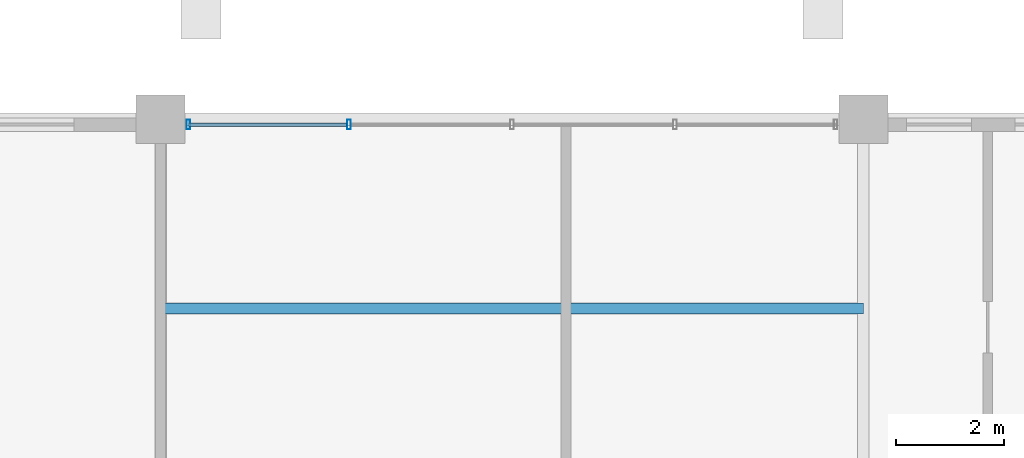
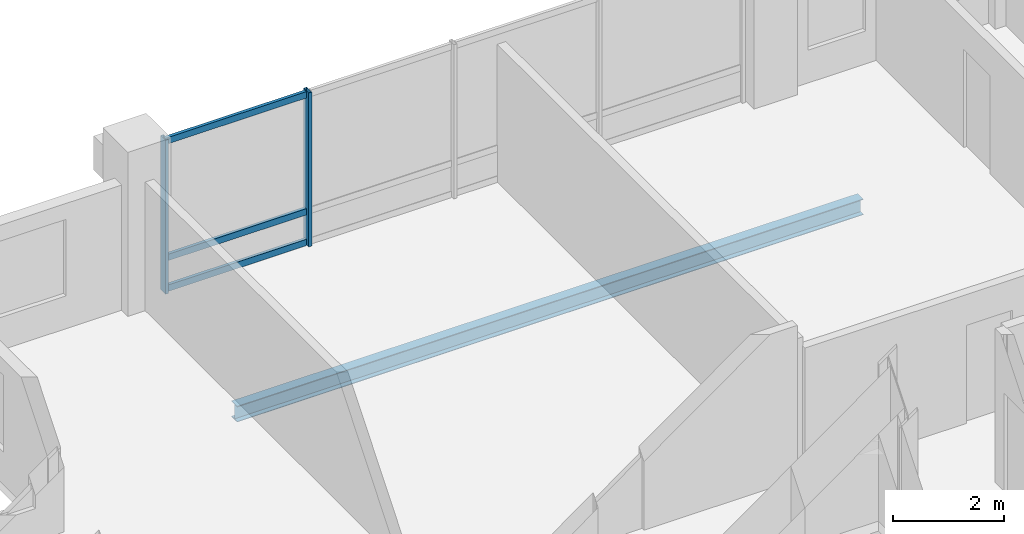
# One storey, part 12 of 21: 5 members, 1 beam, 1 element without a shape of its own.
"""IFC4 building model written with IfcOpenShell, lengths in metres."""

from ifc_helpers import new_model, si_unit, direction, frame, origin, origin_2d, place, context, subcontext, project, spatial, hollow_rectangle, i_section, extrude, material, layer, layer_set, material_profile, profile_set, type_object, element, aggregate, save


model = new_model("IFC4")

# Units and contexts
model_context = context("Model", 3, precision=1e-05, world=origin(), true_north=direction((0.0, 1.0)))
body_context = subcontext(model_context, "Body", "Model", "MODEL_VIEW")
ifc_project = project(units=[si_unit("LENGTHUNIT", "METRE"), si_unit("AREAUNIT", "SQUARE_METRE"), si_unit("VOLUMEUNIT", "CUBIC_METRE"), si_unit("PLANEANGLEUNIT", "RADIAN"), si_unit("MASSUNIT", "GRAM", prefix="KILO")], contexts=[model_context])

# Site, building, storey
site_placement = place(None, origin())
site = spatial("IfcSite", under=ifc_project, at=site_placement, CompositionType="ELEMENT")
building_placement = place(site_placement, origin())
building = spatial("IfcBuilding", under=site, at=building_placement, Name="Barlavira Tower and Art Museum", CompositionType="ELEMENT")
storey_placement = place(building_placement, frame((0.0, 0.0, 297.89990234375)))
storey = spatial("IfcBuildingStorey", under=building, at=storey_placement, Name="L78", CompositionType="ELEMENT", Elevation=297.89990234375)

# Curtain wall, members
ifc_material_1 = material(Name="Low-iron coastal laminated glass", Category="glass")
ifc_layer = layer(ifc_material_1, 0.2099609375, Name="Low-iron coastal laminated glass")
ifc_layer_set = layer_set([ifc_layer], Name="Low-iron coastal laminated glass")
curtain_wall_type = type_object("IfcCurtainWallType", Name="Pale-Metal Unitised Curtain Wall Zone 4", PredefinedType="NOTDEFINED", material=ifc_layer_set)
curtain_wall_placement = place(storey_placement, origin())
curtain_wall = element("IfcCurtainWall", 1, at=curtain_wall_placement, inside=storey, type_object=curtain_wall_type, Name="L78 Curtain Wall CW4-L78-N-B2", PredefinedType="NOTDEFINED")
ifc_material_2 = material(Name="Pale anodised aluminium", Category="aluminium")
ifc_material_profile_1 = material_profile(ifc_material_2, hollow_rectangle(XDim=0.06494140625, YDim=0.179931640625, WallThickness=0.00390625, at=origin_2d()), Name="ALU-MULL 65x180x4")
ifc_profile_set_1 = profile_set([ifc_material_profile_1], Name="Pale anodised aluminium")
member_type_1 = type_object("IfcMemberType", Name="Curtain Wall Pale-Metal Mullion 65x180", PredefinedType="MULLION", material=ifc_profile_set_1)
member_1_placement = place(storey_placement, frame((-3.014892578125, 19.89990234375, 0.0), z_axis=(0.0, 0.0, 1.0), x_axis=(-1.0, 0.0, 0.0)))
member_1 = element("IfcMember", 2, at=member_1_placement, type_object=member_type_1, Name="CW4-L78-N-B2 Mullion 3", PredefinedType="MULLION", context=body_context, shape_type="SweptSolid", body=[
    extrude(hollow_rectangle(XDim=0.06494140625, YDim=0.179931640625, WallThickness=0.00390625, at=origin_2d()), origin(), (0.0, 0.0, 1.0), 3.380126953125),
])
member_2_placement = place(storey_placement, frame((-5.985107421875, 19.89990234375, 0.0), z_axis=(0.0, 0.0, 1.0), x_axis=(-1.0, 0.0, 0.0)))
member_2 = element("IfcMember", 3, at=member_2_placement, type_object=member_type_1, Name="CW4-L78-N-B2 Mullion 4", PredefinedType="MULLION", context=body_context, shape_type="SweptSolid", body=[
    extrude(hollow_rectangle(XDim=0.06494140625, YDim=0.179931640625, WallThickness=0.00390625, at=origin_2d()), origin(), (0.0, 0.0, 1.0), 3.380126953125),
])
ifc_material_profile_2 = material_profile(ifc_material_2, hollow_rectangle(XDim=0.06494140625, YDim=0.139892578125, WallThickness=0.00390625, at=origin_2d()), Name="ALU-TRAN 65x140x4")
ifc_profile_set_2 = profile_set([ifc_material_profile_2], Name="Pale anodised aluminium")
member_type_2 = type_object("IfcMemberType", Name="Curtain Wall Pale-Metal Transom 65x140", PredefinedType="USERDEFINED", material=ifc_profile_set_2)
member_3_placement = place(storey_placement, frame((-3.06005859375, 19.89990234375, 0.070068359375), z_axis=(-1.0, 0.0, 0.0), x_axis=(0.0, -1.0, 0.0)))
member_3 = element("IfcMember", 4, at=member_3_placement, type_object=member_type_2, Name="CW4-L78-N-B2 Transom 3.1", ObjectType="TRANSOM", PredefinedType="USERDEFINED", context=body_context, shape_type="SweptSolid", body=[
    extrude(hollow_rectangle(XDim=0.06494140625, YDim=0.139892578125, WallThickness=0.00390625, at=origin_2d()), origin(), (0.0, 0.0, 1.0), 2.925048828125),
])
member_4_placement = place(storey_placement, frame((-3.06005859375, 19.89990234375, 0.744140625), z_axis=(-1.0, 0.0, 0.0), x_axis=(0.0, -1.0, 0.0)))
member_4 = element("IfcMember", 5, at=member_4_placement, type_object=member_type_2, Name="CW4-L78-N-B2 Transom 3.2", ObjectType="TRANSOM", PredefinedType="USERDEFINED", context=body_context, shape_type="SweptSolid", body=[
    extrude(hollow_rectangle(XDim=0.06494140625, YDim=0.139892578125, WallThickness=0.00390625, at=origin_2d()), origin(), (0.0, 0.0, 1.0), 2.925048828125),
])
member_5_placement = place(storey_placement, frame((-3.06005859375, 19.89990234375, 3.31005859375), z_axis=(-1.0, 0.0, 0.0), x_axis=(0.0, -1.0, 0.0)))
member_5 = element("IfcMember", 6, at=member_5_placement, type_object=member_type_2, Name="CW4-L78-N-B2 Transom 3.3", ObjectType="TRANSOM", PredefinedType="USERDEFINED", context=body_context, shape_type="SweptSolid", body=[
    extrude(hollow_rectangle(XDim=0.06494140625, YDim=0.139892578125, WallThickness=0.00390625, at=origin_2d()), origin(), (0.0, 0.0, 1.0), 2.925048828125),
])
aggregate(curtain_wall, [member_1, member_2, member_3, member_4, member_5])

# Beam
ifc_material_3 = material(Name="Steel S355", Category="steel")
ifc_material_profile_3 = material_profile(ifc_material_3, i_section(OverallWidth=0.202880859375, OverallDepth=0.346923828125, WebThickness=0.0078125, FlangeThickness=0.013427734375, at=origin_2d()), Name="W360x64.0")
ifc_profile_set_3 = profile_set([ifc_material_profile_3], Name="Steel S355")
beam_type = type_object("IfcBeamType", Name="Zone 4 Composite Floor Joist W360x64 Steel S355", PredefinedType="JOIST", material=ifc_profile_set_3)
beam_placement = place(storey_placement, frame((-6.5, 16.5, -0.393310546875), z_axis=(1.0, 0.0, 0.0), x_axis=(0.0, 1.0, 0.0)))
element("IfcBeam", 7, at=beam_placement, inside=storey, type_object=beam_type, Name="L78 Joist C2", PredefinedType="JOIST", context=body_context, shape_type="SweptSolid", body=[
    extrude(i_section(OverallWidth=0.202880859375, OverallDepth=0.346923828125, WebThickness=0.0078125, FlangeThickness=0.013427734375, at=origin_2d()), origin(), (0.0, 0.0, 1.0), 13.0),
])

save(model, "model.ifc")
